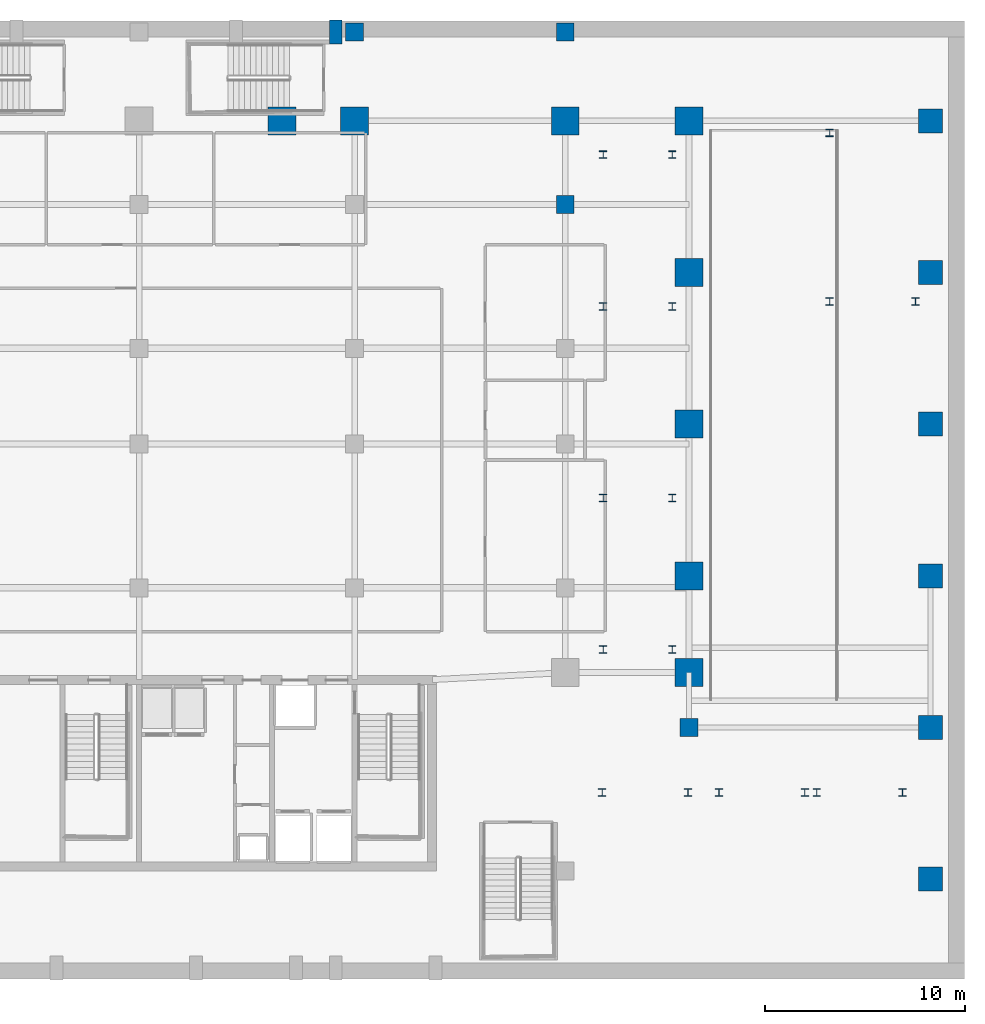
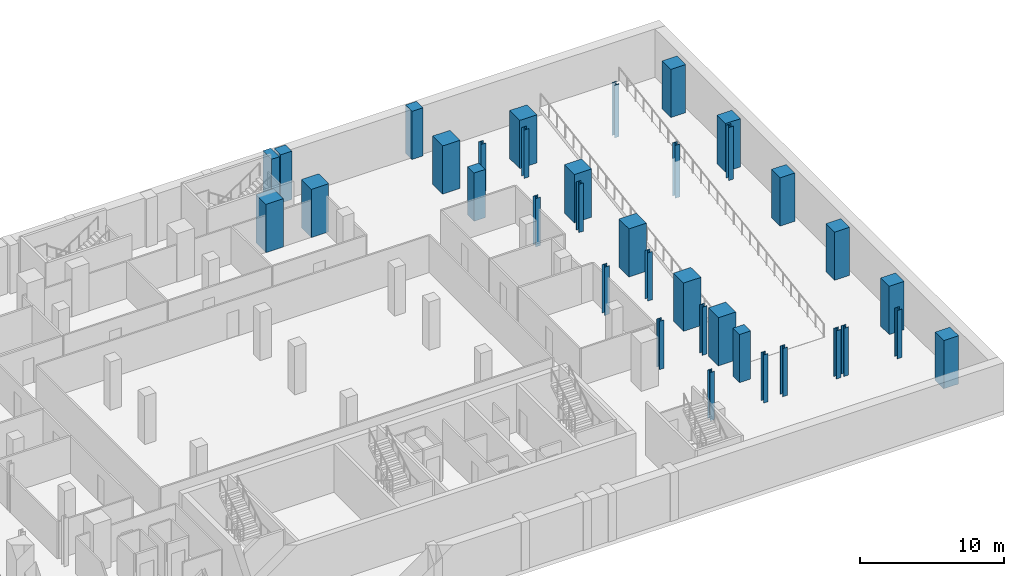
# One storey, part 4 of 18: 36 columns.
"""IFC4 building model written with IfcOpenShell, lengths in metres."""

from ifc_helpers import new_model, si_unit, direction, frame, origin, origin_2d, place, context, subcontext, project, spatial, rectangle, i_section, extrude, material, material_profile, profile_set, type_object, element, save


model = new_model("IFC4")

# Units and contexts
model_context = context("Model", 3, precision=1e-05, world=origin(), true_north=direction((0.0, 1.0)))
body_context = subcontext(model_context, "Body", "Model", "MODEL_VIEW")
ifc_project = project(units=[si_unit("LENGTHUNIT", "METRE"), si_unit("AREAUNIT", "SQUARE_METRE"), si_unit("VOLUMEUNIT", "CUBIC_METRE"), si_unit("PLANEANGLEUNIT", "RADIAN"), si_unit("MASSUNIT", "GRAM", prefix="KILO")], contexts=[model_context])

# Site, building, storey
site_placement = place(None, origin())
site = spatial("IfcSite", under=ifc_project, at=site_placement, CompositionType="ELEMENT")
building_placement = place(site_placement, origin())
building = spatial("IfcBuilding", under=site, at=building_placement, Name="Ndaravel Arena Tower", CompositionType="ELEMENT")
storey_placement = place(building_placement, frame((0.0, 0.0, -4.5)))
storey = spatial("IfcBuildingStorey", under=building, at=storey_placement, Name="B01", CompositionType="ELEMENT", Elevation=-4.5)

# Columns
ifc_material_1 = material(Name="Concrete C40/50", Category="concrete")
ifc_material_profile_1 = material_profile(ifc_material_1, rectangle(XDim=0.89990234375, YDim=0.89990234375, at=origin_2d()), Name="RC 900x900")
ifc_profile_set_1 = profile_set([ifc_material_profile_1], Name="Concrete C40/50")
column_type_1 = type_object("IfcColumnType", Name="COL-BSMT-RC900", PredefinedType="COLUMN", material=ifc_profile_set_1)
for number, where, z_axis, x_axis, name in (
    (1, (53.449951171875, 47.449951171875, 0.0), (0.0, 0.0, 1.0), (1.0, 0.0, 0.0), "B01 North Concourse Column 4"),
    (2, (64.0, 47.449951171875, 0.0), (0.0, 0.0, 1.0), (1.0, 0.0, 0.0), "B01 North Concourse Column 5"),
    (3, (70.199951171875, 12.60009765625, 0.0), (0.0, 0.0, 1.0), (1.0, 0.0, 0.0), "B01 Ramp Portal Column 02"),
    (4, (64.0, 38.800048828125, 0.0), (0.0, 0.0, 1.0), (1.0, 0.0, 0.0), "B01 Sub-Court Column 20"),
):
    element("IfcColumn", number, at=place(storey_placement, frame(where, z_axis=z_axis, x_axis=x_axis)), inside=storey, type_object=column_type_1, Name=name, PredefinedType="COLUMN", context=body_context, shape_type="SweptSolid", body=[
        extrude(rectangle(XDim=0.89990234375, YDim=0.89990234375, at=origin_2d()), origin(), (0.0, 0.0, 1.0), 4.10009765625),
    ])
ifc_material_2 = material(Name="Steel S355", Category="steel")
ifc_material_profile_2 = material_profile(ifc_material_2, i_section(OverallWidth=0.374755859375, OverallDepth=0.37451171875, WebThickness=0.0166015625, FlangeThickness=0.027099609375, FilletRadius=0.01513671875, at=origin_2d()), Name="UC 356x368x202")
ifc_profile_set_2 = profile_set([ifc_material_profile_2], Name="Steel S355")
column_type_2 = type_object("IfcColumnType", Name="COL-CRN-UC202", PredefinedType="COLUMN", material=ifc_profile_set_2)
for number, where, z_axis, x_axis, name in (
    (5, (65.85009765625, 9.35009765625, 0.0), (0.0, 0.0, 1.0), (1.0, 0.0, 0.0), "B01 Stair ST-A04 Support Pier 1"),
    (6, (70.14990234375, 9.35009765625, 0.0), (0.0, 0.0, 1.0), (1.0, 0.0, 0.0), "B01 Stair ST-A04 Support Pier 2"),
    (7, (71.699951171875, 9.35009765625, 0.0), (0.0, 0.0, 1.0), (1.0, 0.0, 0.0), "B01 Stair ST-A05 Support Pier 1"),
    (8, (76.0, 9.35009765625, 0.0), (0.0, 0.0, 1.0), (1.0, 0.0, 0.0), "B01 Stair ST-A05 Support Pier 2"),
    (9, (76.60009765625, 9.35009765625, 0.0), (0.0, 0.0, 1.0), (1.0, 0.0, 0.0), "B01 Stair ST-A06 Support Pier 1"),
    (10, (80.89990234375, 9.35009765625, 0.0), (0.0, 0.0, 1.0), (1.0, 0.0, 0.0), "B01 Stair ST-A06 Support Pier 2"),
):
    element("IfcColumn", number, at=place(storey_placement, frame(where, z_axis=z_axis, x_axis=x_axis)), inside=storey, type_object=column_type_2, Name=name, PredefinedType="COLUMN", context=body_context, shape_type="SweptSolid", body=[
        extrude(i_section(OverallWidth=0.374755859375, OverallDepth=0.37451171875, WebThickness=0.0166015625, FlangeThickness=0.027099609375, FilletRadius=0.01513671875, at=origin_2d()), origin(), (0.0, 0.0, 1.0), 4.10009765625),
    ])
for number, where, z_axis, x_axis, name in (
    (11, (77.25, 33.949951171875, 0.0), (0.0, 0.0, 1.0), (1.0, 0.0, 0.0), "B01 Garden Stair ST-GDN-2 Pier 1.1"),
    (12, (77.25, 42.39990234375, 0.0), (0.0, 0.0, 1.0), (1.0, 0.0, 0.0), "B01 Garden Stair ST-GDN-2 Pier 1.2"),
    (13, (81.550048828125, 33.949951171875, 0.0), (0.0, 0.0, 1.0), (1.0, 0.0, 0.0), "B01 Garden Stair ST-GDN-2 Pier 2.1"),
):
    element("IfcColumn", number, at=place(storey_placement, frame(where, z_axis=z_axis, x_axis=x_axis)), inside=storey, type_object=column_type_2, Name=name, PredefinedType="COLUMN", context=body_context, shape_type="SweptSolid", body=[
        extrude(i_section(OverallWidth=0.374755859375, OverallDepth=0.37451171875, WebThickness=0.0166015625, FlangeThickness=0.027099609375, FilletRadius=0.01513671875, at=origin_2d()), origin(), (0.0, 0.0, 1.0), 4.5),
    ])
for number, where, z_axis, x_axis, name in (
    (14, (65.89990234375, 16.5, 0.0), (0.0, 0.0, 1.0), (1.0, 0.0, 0.0), "B01 Vomitory Stair ST-VOM-3 Pier 1.1"),
    (15, (65.89990234375, 24.10009765625, 0.0), (0.0, 0.0, 1.0), (1.0, 0.0, 0.0), "B01 Vomitory Stair ST-VOM-3 Pier 1.2"),
    (16, (69.360107421875, 16.5, 0.0), (0.0, 0.0, 1.0), (1.0, 0.0, 0.0), "B01 Vomitory Stair ST-VOM-3 Pier 2.1"),
    (17, (69.360107421875, 24.10009765625, 0.0), (0.0, 0.0, 1.0), (1.0, 0.0, 0.0), "B01 Vomitory Stair ST-VOM-3 Pier 2.2"),
    (18, (65.89990234375, 33.699951171875, 0.0), (0.0, 0.0, 1.0), (1.0, 0.0, 0.0), "B01 Vomitory Stair ST-VOM-4 Pier 1.1"),
    (19, (65.89990234375, 41.300048828125, 0.0), (0.0, 0.0, 1.0), (1.0, 0.0, 0.0), "B01 Vomitory Stair ST-VOM-4 Pier 1.2"),
    (20, (69.360107421875, 33.699951171875, 0.0), (0.0, 0.0, 1.0), (1.0, 0.0, 0.0), "B01 Vomitory Stair ST-VOM-4 Pier 2.1"),
    (21, (69.360107421875, 41.300048828125, 0.0), (0.0, 0.0, 1.0), (1.0, 0.0, 0.0), "B01 Vomitory Stair ST-VOM-4 Pier 2.2"),
):
    element("IfcColumn", number, at=place(storey_placement, frame(where, z_axis=z_axis, x_axis=x_axis)), inside=storey, type_object=column_type_2, Name=name, PredefinedType="COLUMN", context=body_context, shape_type="SweptSolid", body=[
        extrude(i_section(OverallWidth=0.374755859375, OverallDepth=0.37451171875, WebThickness=0.0166015625, FlangeThickness=0.027099609375, FilletRadius=0.01513671875, at=origin_2d()), origin(), (0.0, 0.0, 1.0), 4.10009765625),
    ])
ifc_material_3 = material(Name="Concrete C60/75", Category="concrete")
ifc_material_profile_3 = material_profile(ifc_material_3, rectangle(XDim=1.199951171875, YDim=1.199951171875, at=origin_2d()), Name="RC 1200x1200")
ifc_profile_set_3 = profile_set([ifc_material_profile_3], Name="Concrete C60/75")
column_type_3 = type_object("IfcColumnType", Name="COL-MEGA-RC1200", PredefinedType="COLUMN", material=ifc_profile_set_3)
for number, where, z_axis, x_axis, name in (
    (22, (82.300048828125, 5.0, 0.0), (0.0, 0.0, 1.0), (1.0, 0.0, 0.0), "B01 Perimeter Mega Column 07"),
    (23, (82.300048828125, 12.60009765625, 0.0), (0.0, 0.0, 1.0), (1.0, 0.0, 0.0), "B01 Perimeter Mega Column 08"),
    (24, (82.300048828125, 20.199951171875, 0.0), (0.0, 0.0, 1.0), (1.0, 0.0, 0.0), "B01 Perimeter Mega Column 09"),
    (25, (82.300048828125, 27.800048828125, 0.0), (0.0, 0.0, 1.0), (1.0, 0.0, 0.0), "B01 Perimeter Mega Column 10"),
    (26, (82.300048828125, 35.39990234375, 0.0), (0.0, 0.0, 1.0), (1.0, 0.0, 0.0), "B01 Perimeter Mega Column 11"),
    (27, (82.300048828125, 43.0, 0.0), (0.0, 0.0, 1.0), (1.0, 0.0, 0.0), "B01 Perimeter Mega Column 12"),
):
    element("IfcColumn", number, at=place(storey_placement, frame(where, z_axis=z_axis, x_axis=x_axis)), inside=storey, type_object=column_type_3, Name=name, PredefinedType="COLUMN", context=body_context, shape_type="SweptSolid", body=[
        extrude(rectangle(XDim=1.199951171875, YDim=1.199951171875, at=origin_2d()), origin(), (0.0, 0.0, 1.0), 4.10009765625),
    ])
ifc_material_4 = material(Name="Concrete C60/75", Category="concrete")
ifc_material_profile_4 = material_profile(ifc_material_4, rectangle(XDim=1.39990234375, YDim=1.39990234375, at=origin_2d()), Name="RC 1400x1400")
ifc_profile_set_4 = profile_set([ifc_material_profile_4], Name="Concrete C60/75")
column_type_4 = type_object("IfcColumnType", Name="COL-MEGA-RC1400", PredefinedType="COLUMN", material=ifc_profile_set_4)
for number, where, z_axis, x_axis, name in (
    (28, (70.199951171875, 15.35009765625, 0.0), (0.0, 0.0, 1.0), (1.0, 0.0, 0.0), "B01 Arena Ring Mega Column 06"),
    (29, (70.199951171875, 20.199951171875, 0.0), (0.0, 0.0, 1.0), (1.0, 0.0, 0.0), "B01 Arena Ring Mega Column 07"),
    (30, (70.199951171875, 27.800048828125, 0.0), (0.0, 0.0, 1.0), (1.0, 0.0, 0.0), "B01 Arena Ring Mega Column 08"),
    (31, (70.199951171875, 35.39990234375, 0.0), (0.0, 0.0, 1.0), (1.0, 0.0, 0.0), "B01 Arena Ring Mega Column 09"),
    (32, (70.199951171875, 43.0, 0.0), (0.0, 0.0, 1.0), (1.0, 0.0, 0.0), "B01 Arena Ring Mega Column 10"),
    (33, (49.800048828125, 43.0, 0.0), (0.0, 0.0, 1.0), (1.0, 0.0, 0.0), "B01 Arena Ring Mega Column 17"),
    (34, (53.449951171875, 43.0, 0.0), (0.0, 0.0, 1.0), (1.0, 0.0, 0.0), "B01 Arena Ring Mega Column 18"),
    (35, (64.0, 43.0, 0.0), (0.0, 0.0, 1.0), (1.0, 0.0, 0.0), "B01 Arena Ring Mega Column 19"),
):
    element("IfcColumn", number, at=place(storey_placement, frame(where, z_axis=z_axis, x_axis=x_axis)), inside=storey, type_object=column_type_4, Name=name, PredefinedType="COLUMN", context=body_context, shape_type="SweptSolid", body=[
        extrude(rectangle(XDim=1.39990234375, YDim=1.39990234375, at=origin_2d()), origin(), (0.0, 0.0, 1.0), 4.10009765625),
    ])
ifc_material_5 = material(Name="Concrete C40/50", Category="concrete")
ifc_material_profile_5 = material_profile(ifc_material_5, rectangle(XDim=0.64990234375, YDim=1.199951171875, at=origin_2d()), Name="RC 650x1200")
ifc_profile_set_5 = profile_set([ifc_material_profile_5], Name="Concrete C40/50")
column_type_5 = type_object("IfcColumnType", Name="COL-PIL-RC650", PredefinedType="PILASTER", material=ifc_profile_set_5)
column_placement = place(storey_placement, frame((52.5, 47.449951171875, 0.0), z_axis=(0.0, 0.0, 1.0), x_axis=(1.0, 0.0, 0.0)))
element("IfcColumn", 36, at=column_placement, inside=storey, type_object=column_type_5, Name="B01 North Canopy Pilaster 04", PredefinedType="PILASTER", context=body_context, shape_type="SweptSolid", body=[
    extrude(rectangle(XDim=0.64990234375, YDim=1.199951171875, at=origin_2d()), origin(), (0.0, 0.0, 1.0), 4.10009765625),
])

save(model, "model.ifc")
